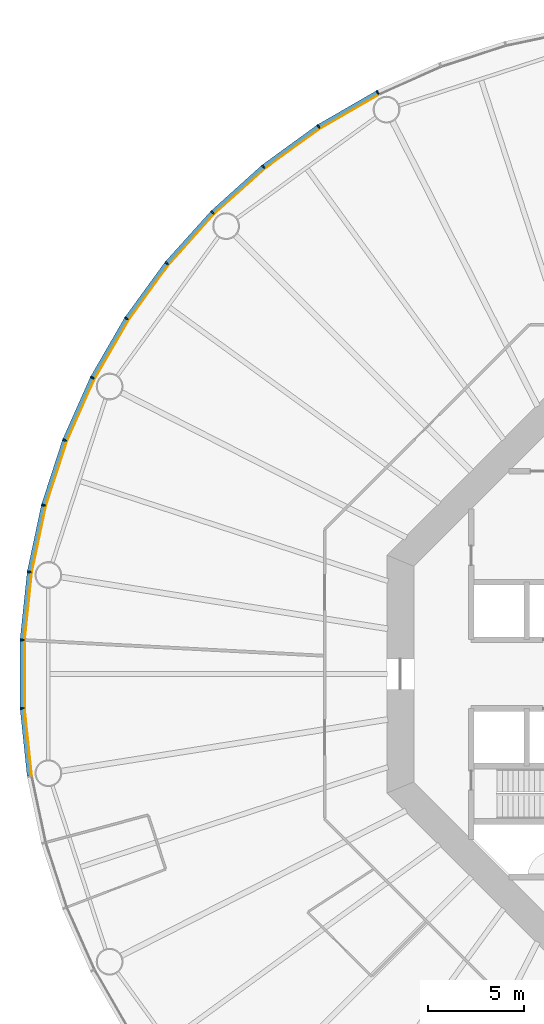
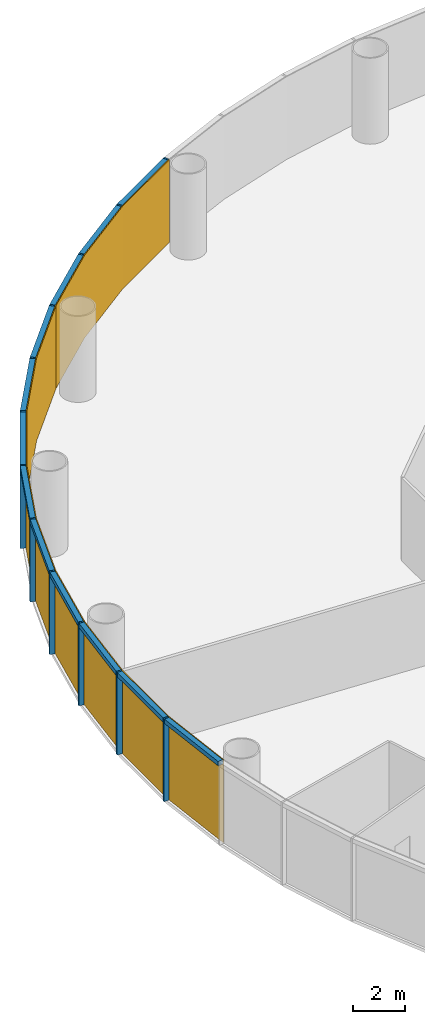
# One storey, part 9 of 13: 24 members, 4 curtain walls.
"""IFC4 building model written with IfcOpenShell, lengths in metres."""

from ifc_helpers import new_model, si_unit, direction, frame, origin, origin_2d, place, context, subcontext, project, spatial, polyline, rectangle, outline, extrude, material, layer, layer_set, material_profile, profile_set, type_object, element, aggregate, save


model = new_model("IFC4")

# Units and contexts
model_context = context("Model", 3, precision=1e-05, world=origin(), true_north=direction((0.0, 1.0)))
body_context = subcontext(model_context, "Body", "Model", "MODEL_VIEW")
ifc_project = project(units=[si_unit("LENGTHUNIT", "METRE"), si_unit("AREAUNIT", "SQUARE_METRE"), si_unit("VOLUMEUNIT", "CUBIC_METRE"), si_unit("PLANEANGLEUNIT", "RADIAN"), si_unit("MASSUNIT", "GRAM", prefix="KILO")], contexts=[model_context])

# Member
ifc_material_1 = material(Name="Anodised aluminium", Category="aluminium")
ifc_material_profile_1 = material_profile(ifc_material_1, rectangle(XDim=0.074951171875, YDim=0.219970703125, at=origin_2d()), Name="Mullion 75 x 220 mm anodised aluminium")
ifc_profile_set_1 = profile_set([ifc_material_profile_1], Name="Anodised aluminium")
member_type_1 = type_object("IfcMemberType", Name="Mullion 75 x 220 mm anodised aluminium", PredefinedType="MULLION", material=ifc_profile_set_1)
site_placement = place(None, origin())
building_placement = place(site_placement, origin())
storey_placement = place(building_placement, frame((0.0, 0.0, 46.0)))
member_1_placement = place(storey_placement, frame((74.514404296875, 110.392333984375, 0.0), z_axis=(0.0, 0.0, 1.0), x_axis=(-0.891006524188, -0.45399049974, 0.0)))
member_1 = element("IfcMember", 1, at=member_1_placement, type_object=member_type_1, Name="MULLION L09-18", PredefinedType="MULLION", context=body_context, shape_type="SweptSolid", body=[
    extrude(rectangle(XDim=0.074951171875, YDim=0.219970703125, at=origin_2d()), origin(), (0.0, 0.0, 1.0), 3.85009765625),
])

member_2_placement = place(storey_placement, frame((71.42236328125, 108.60693359375, 0.0), z_axis=(0.0, 0.0, 1.0), x_axis=(-0.838670567945, -0.544639035015, 0.0)))
member_2 = element("IfcMember", 2, at=member_2_placement, type_object=member_type_1, Name="MULLION L09-19", PredefinedType="MULLION", context=body_context, shape_type="SweptSolid", body=[
    extrude(rectangle(XDim=0.074951171875, YDim=0.219970703125, at=origin_2d()), origin(), (0.0, 0.0, 1.0), 3.85009765625),
])

member_3_placement = place(storey_placement, frame((68.533935546875, 106.508544921875, 0.0), z_axis=(0.0, 0.0, 1.0), x_axis=(-0.777145961457, -0.62932039105, 0.0)))
member_3 = element("IfcMember", 3, at=member_3_placement, type_object=member_type_1, Name="MULLION L09-20", PredefinedType="MULLION", context=body_context, shape_type="SweptSolid", body=[
    extrude(rectangle(XDim=0.074951171875, YDim=0.219970703125, at=origin_2d()), origin(), (0.0, 0.0, 1.0), 3.85009765625),
])

member_4_placement = place(storey_placement, frame((65.880615234375, 104.119384765625, 0.0), z_axis=(0.0, 0.0, 1.0), x_axis=(-0.707106781187, -0.707106781187, 0.0)))
member_4 = element("IfcMember", 4, at=member_4_placement, type_object=member_type_1, Name="MULLION L09-21", PredefinedType="MULLION", context=body_context, shape_type="SweptSolid", body=[
    extrude(rectangle(XDim=0.074951171875, YDim=0.219970703125, at=origin_2d()), origin(), (0.0, 0.0, 1.0), 3.85009765625),
])

member_5_placement = place(storey_placement, frame((63.491455078125, 101.466064453125, 0.0), z_axis=(0.0, 0.0, 1.0), x_axis=(-0.62932039105, -0.777145961457, 0.0)))
member_5 = element("IfcMember", 5, at=member_5_placement, type_object=member_type_1, Name="MULLION L09-22", PredefinedType="MULLION", context=body_context, shape_type="SweptSolid", body=[
    extrude(rectangle(XDim=0.074951171875, YDim=0.219970703125, at=origin_2d()), origin(), (0.0, 0.0, 1.0), 3.85009765625),
])

member_6_placement = place(storey_placement, frame((61.39306640625, 98.57763671875, 0.0), z_axis=(0.0, 0.0, 1.0), x_axis=(-0.544639035015, -0.838670567945, 0.0)))
member_6 = element("IfcMember", 6, at=member_6_placement, type_object=member_type_1, Name="MULLION L09-23", PredefinedType="MULLION", context=body_context, shape_type="SweptSolid", body=[
    extrude(rectangle(XDim=0.074951171875, YDim=0.219970703125, at=origin_2d()), origin(), (0.0, 0.0, 1.0), 3.85009765625),
])

member_7_placement = place(storey_placement, frame((59.607666015625, 95.485595703125, 0.0), z_axis=(0.0, 0.0, 1.0), x_axis=(-0.45399049974, -0.891006524188, 0.0)))
member_7 = element("IfcMember", 7, at=member_7_placement, type_object=member_type_1, Name="MULLION L09-24", PredefinedType="MULLION", context=body_context, shape_type="SweptSolid", body=[
    extrude(rectangle(XDim=0.074951171875, YDim=0.219970703125, at=origin_2d()), origin(), (0.0, 0.0, 1.0), 3.85009765625),
])

member_8_placement = place(storey_placement, frame((58.155517578125, 92.223876953125, 0.0), z_axis=(0.0, 0.0, 1.0), x_axis=(-0.358367949545, -0.933580426497, 0.0)))
member_8 = element("IfcMember", 8, at=member_8_placement, type_object=member_type_1, Name="MULLION L09-25", PredefinedType="MULLION", context=body_context, shape_type="SweptSolid", body=[
    extrude(rectangle(XDim=0.074951171875, YDim=0.219970703125, at=origin_2d()), origin(), (0.0, 0.0, 1.0), 3.85009765625),
])

member_9_placement = place(storey_placement, frame((57.05224609375, 88.828369140625, 0.0), z_axis=(0.0, 0.0, 1.0), x_axis=(-0.258819045103, -0.965925826289, 0.0)))
member_9 = element("IfcMember", 9, at=member_9_placement, type_object=member_type_1, Name="MULLION L09-26", PredefinedType="MULLION", context=body_context, shape_type="SweptSolid", body=[
    extrude(rectangle(XDim=0.074951171875, YDim=0.219970703125, at=origin_2d()), origin(), (0.0, 0.0, 1.0), 3.85009765625),
])

member_10_placement = place(storey_placement, frame((56.31005859375, 85.3359375, 0.0), z_axis=(0.0, 0.0, 1.0), x_axis=(-0.15643446504, -0.987688340595, 0.0)))
member_10 = element("IfcMember", 10, at=member_10_placement, type_object=member_type_1, Name="MULLION L09-27", PredefinedType="MULLION", context=body_context, shape_type="SweptSolid", body=[
    extrude(rectangle(XDim=0.074951171875, YDim=0.219970703125, at=origin_2d()), origin(), (0.0, 0.0, 1.0), 3.85009765625),
])

member_11_placement = place(storey_placement, frame((55.936767578125, 81.78515625, 0.0), z_axis=(0.0, 0.0, 1.0), x_axis=(-0.052335956243, -0.998629534755, 0.0)))
member_11 = element("IfcMember", 11, at=member_11_placement, type_object=member_type_1, Name="MULLION L09-28", PredefinedType="MULLION", context=body_context, shape_type="SweptSolid", body=[
    extrude(rectangle(XDim=0.074951171875, YDim=0.219970703125, at=origin_2d()), origin(), (0.0, 0.0, 1.0), 3.85009765625),
])

member_12_placement = place(storey_placement, frame((55.936767578125, 78.21484375, 0.0), z_axis=(0.0, 0.0, 1.0), x_axis=(0.052335956243, -0.998629534755, 0.0)))
member_12 = element("IfcMember", 12, at=member_12_placement, type_object=member_type_1, Name="MULLION L09-29", PredefinedType="MULLION", context=body_context, shape_type="SweptSolid", body=[
    extrude(rectangle(XDim=0.074951171875, YDim=0.219970703125, at=origin_2d()), origin(), (0.0, 0.0, 1.0), 3.85009765625),
])

ifc_material_2 = material(Name="Anodised aluminium", Category="aluminium")
ifc_material_profile_2 = material_profile(ifc_material_2, rectangle(XDim=0.219970703125, YDim=0.199951171875, at=origin_2d()), Name="Transom 200 x 220 mm anodised aluminium")
ifc_profile_set_2 = profile_set([ifc_material_profile_2], Name="Anodised aluminium")
member_type_2 = type_object("IfcMemberType", Name="Transom 200 x 220 mm anodised aluminium", PredefinedType="USERDEFINED", material=ifc_profile_set_2)
member_13_placement = place(storey_placement, frame((74.476806640625, 110.370849609375, 3.75), z_axis=(-0.866022206254, -0.500005538244, 0.0), x_axis=(0.500005538244, -0.866022206254, 0.0)))
member_13 = element("IfcMember", 13, at=member_13_placement, type_object=member_type_2, Name="TRANSOM L09-18", ObjectType="TRANSOM", PredefinedType="USERDEFINED", context=body_context, shape_type="SweptSolid", body=[
    extrude(rectangle(XDim=0.219970703125, YDim=0.199951171875, at=origin_2d()), origin(), (0.0, 0.0, 1.0), 3.48388671875),
])

member_14_placement = place(storey_placement, frame((71.38720703125, 108.581787109375, 3.75), z_axis=(-0.80899056535, -0.587821627006, 0.0), x_axis=(0.587821627006, -0.80899056535, 0.0)))
member_14 = element("IfcMember", 14, at=member_14_placement, type_object=member_type_2, Name="TRANSOM L09-19", ObjectType="TRANSOM", PredefinedType="USERDEFINED", context=body_context, shape_type="SweptSolid", body=[
    extrude(rectangle(XDim=0.219970703125, YDim=0.199951171875, at=origin_2d()), origin(), (0.0, 0.0, 1.0), 3.48388671875),
])

member_15_placement = place(storey_placement, frame((68.501708984375, 106.479736328125, 3.75), z_axis=(-0.743137329876, -0.669138930974, 0.0), x_axis=(0.669138930974, -0.743137329876, 0.0)))
member_15 = element("IfcMember", 15, at=member_15_placement, type_object=member_type_2, Name="TRANSOM L09-20", ObjectType="TRANSOM", PredefinedType="USERDEFINED", context=body_context, shape_type="SweptSolid", body=[
    extrude(rectangle(XDim=0.219970703125, YDim=0.199951171875, at=origin_2d()), origin(), (0.0, 0.0, 1.0), 3.484130859375),
])

member_16_placement = place(storey_placement, frame((65.8515625, 104.08740234375, 3.75), z_axis=(-0.669138930974, -0.743137329876, 0.0), x_axis=(0.743137329876, -0.669138930974, 0.0)))
member_16 = element("IfcMember", 16, at=member_16_placement, type_object=member_type_2, Name="TRANSOM L09-21", ObjectType="TRANSOM", PredefinedType="USERDEFINED", context=body_context, shape_type="SweptSolid", body=[
    extrude(rectangle(XDim=0.219970703125, YDim=0.199951171875, at=origin_2d()), origin(), (0.0, 0.0, 1.0), 3.484130859375),
])

member_17_placement = place(storey_placement, frame((63.466064453125, 101.43115234375, 3.75), z_axis=(-0.587821627006, -0.80899056535, 0.0), x_axis=(0.80899056535, -0.587821627006, 0.0)))
member_17 = element("IfcMember", 17, at=member_17_placement, type_object=member_type_2, Name="TRANSOM L09-22", ObjectType="TRANSOM", PredefinedType="USERDEFINED", context=body_context, shape_type="SweptSolid", body=[
    extrude(rectangle(XDim=0.219970703125, YDim=0.199951171875, at=origin_2d()), origin(), (0.0, 0.0, 1.0), 3.48388671875),
])

member_18_placement = place(storey_placement, frame((61.37109375, 98.540283203125, 3.75), z_axis=(-0.500005538244, -0.866022206254, 0.0), x_axis=(0.866022206254, -0.500005538244, 0.0)))
member_18 = element("IfcMember", 18, at=member_18_placement, type_object=member_type_2, Name="TRANSOM L09-23", ObjectType="TRANSOM", PredefinedType="USERDEFINED", context=body_context, shape_type="SweptSolid", body=[
    extrude(rectangle(XDim=0.219970703125, YDim=0.199951171875, at=origin_2d()), origin(), (0.0, 0.0, 1.0), 3.48388671875),
])

member_19_placement = place(storey_placement, frame((59.590087890625, 95.446044921875, 3.75), z_axis=(-0.406736576304, -0.913545487371, 0.0), x_axis=(0.913545487371, -0.406736576304, 0.0)))
member_19 = element("IfcMember", 19, at=member_19_placement, type_object=member_type_2, Name="TRANSOM L09-24", ObjectType="TRANSOM", PredefinedType="USERDEFINED", context=body_context, shape_type="SweptSolid", body=[
    extrude(rectangle(XDim=0.219970703125, YDim=0.199951171875, at=origin_2d()), origin(), (0.0, 0.0, 1.0), 3.48388671875),
])

member_20_placement = place(storey_placement, frame((58.14208984375, 92.182861328125, 3.75), z_axis=(-0.309029029702, -0.951052605696, 0.0), x_axis=(0.951052605696, -0.309029029702, 0.0)))
member_20 = element("IfcMember", 20, at=member_20_placement, type_object=member_type_2, Name="TRANSOM L09-25", ObjectType="TRANSOM", PredefinedType="USERDEFINED", context=body_context, shape_type="SweptSolid", body=[
    extrude(rectangle(XDim=0.219970703125, YDim=0.199951171875, at=origin_2d()), origin(), (0.0, 0.0, 1.0), 3.484130859375),
])

member_21_placement = place(storey_placement, frame((57.043212890625, 88.7861328125, 3.75), z_axis=(-0.207920776701, -0.978145669426, 0.0), x_axis=(0.978145669426, -0.207920776701, 0.0)))
member_21 = element("IfcMember", 21, at=member_21_placement, type_object=member_type_2, Name="TRANSOM L09-26", ObjectType="TRANSOM", PredefinedType="USERDEFINED", context=body_context, shape_type="SweptSolid", body=[
    extrude(rectangle(XDim=0.219970703125, YDim=0.199951171875, at=origin_2d()), origin(), (0.0, 0.0, 1.0), 3.48388671875),
])

member_22_placement = place(storey_placement, frame((56.30517578125, 85.29296875, 3.75), z_axis=(-0.104484152234, -0.994526551648, 0.0), x_axis=(0.994526551648, -0.104484152234, 0.0)))
member_22 = element("IfcMember", 22, at=member_22_placement, type_object=member_type_2, Name="TRANSOM L09-27", ObjectType="TRANSOM", PredefinedType="USERDEFINED", context=body_context, shape_type="SweptSolid", body=[
    extrude(rectangle(XDim=0.219970703125, YDim=0.199951171875, at=origin_2d()), origin(), (0.0, 0.0, 1.0), 3.48388671875),
])

member_23_placement = place(storey_placement, frame((55.9365234375, 81.741943359375, 3.75), z_axis=(0.0, -1.0, 0.0), x_axis=(1.0, 0.0, 0.0)))
member_23 = element("IfcMember", 23, at=member_23_placement, type_object=member_type_2, Name="TRANSOM L09-28", ObjectType="TRANSOM", PredefinedType="USERDEFINED", context=body_context, shape_type="SweptSolid", body=[
    extrude(rectangle(XDim=0.219970703125, YDim=0.199951171875, at=origin_2d()), origin(), (0.0, 0.0, 1.0), 3.48388671875),
])

member_24_placement = place(storey_placement, frame((55.941162109375, 78.171875, 3.75), z_axis=(0.104484152234, -0.994526551648, 0.0), x_axis=(0.994526551648, 0.104484152234, 0.0)))
member_24 = element("IfcMember", 24, at=member_24_placement, type_object=member_type_2, Name="TRANSOM L09-29", ObjectType="TRANSOM", PredefinedType="USERDEFINED", context=body_context, shape_type="SweptSolid", body=[
    extrude(rectangle(XDim=0.219970703125, YDim=0.199951171875, at=origin_2d()), origin(), (0.0, 0.0, 1.0), 3.48388671875),
])

# Site, building, storey
site = spatial("IfcSite", under=ifc_project, at=site_placement, CompositionType="ELEMENT")
building = spatial("IfcBuilding", under=site, at=building_placement, Name="Entoto Ring Tower", CompositionType="ELEMENT")
storey = spatial("IfcBuildingStorey", under=building, at=storey_placement, Name="L09", CompositionType="ELEMENT", Elevation=46.0)

# Curtain wall
ifc_material_3 = material(Name="Clear low-iron glass", Category="glass")
ifc_layer = layer(ifc_material_3, 0.0400390625)
ifc_layer_set = layer_set([ifc_layer], Name="Clear low-iron glass")
curtain_wall_type = type_object("IfcCurtainWallType", Name="Curtain wall system CW1 glazing 40 mm", PredefinedType="NOTDEFINED", material=ifc_layer_set)
curtain_wall_1_placement = place(storey_placement, origin())
curtain_wall_1 = element("IfcCurtainWall", 25, at=curtain_wall_1_placement, inside=storey, type_object=curtain_wall_type, Name="CW1 L09-07", PredefinedType="NOTDEFINED", context=body_context, shape_type="SweptSolid", body=[
    extrude(outline(polyline([(74.564208984375, 110.294189453125), (71.482177734375, 108.514892578125), (68.60302734375, 106.4228515625), (65.958251953125, 104.041748046875), (65.986572265625, 104.013427734375), (68.62841796875, 106.391845703125), (71.504150390625, 108.481201171875), (74.58251953125, 110.258544921875), (74.564208984375, 110.294189453125)])), origin(), (0.0, 0.0, 1.0), 3.85009765625),
])

aggregate(curtain_wall_1, [member_1, member_2, member_3, member_13, member_14, member_15])

curtain_wall_2_placement = place(storey_placement, origin())
curtain_wall_2 = element("IfcCurtainWall", 26, at=curtain_wall_2_placement, inside=storey, type_object=curtain_wall_type, Name="CW1 L09-08", PredefinedType="NOTDEFINED", context=body_context, shape_type="SweptSolid", body=[
    extrude(outline(polyline([(65.958251953125, 104.041748046875), (63.5771484375, 101.39697265625), (61.485107421875, 98.517822265625), (59.705810546875, 95.435791015625), (59.741455078125, 95.41748046875), (61.518798828125, 98.495849609375), (63.608154296875, 101.37158203125), (65.986572265625, 104.013427734375), (65.958251953125, 104.041748046875)])), origin(), (0.0, 0.0, 1.0), 3.85009765625),
])

aggregate(curtain_wall_2, [member_4, member_5, member_6, member_16, member_17, member_18])

curtain_wall_3_placement = place(storey_placement, origin())
curtain_wall_3 = element("IfcCurtainWall", 27, at=curtain_wall_3_placement, inside=storey, type_object=curtain_wall_type, Name="CW1 L09-09", PredefinedType="NOTDEFINED", context=body_context, shape_type="SweptSolid", body=[
    extrude(outline(polyline([(59.705810546875, 95.435791015625), (58.25830078125, 92.1845703125), (57.158447265625, 88.7998046875), (56.418701171875, 85.31884765625), (56.458251953125, 85.3125), (57.197265625, 88.78955078125), (58.295654296875, 92.170166015625), (59.741455078125, 95.41748046875), (59.705810546875, 95.435791015625)])), origin(), (0.0, 0.0, 1.0), 3.85009765625),
])

aggregate(curtain_wall_3, [member_7, member_8, member_9, member_19, member_20, member_21])

curtain_wall_4_placement = place(storey_placement, origin())
curtain_wall_4 = element("IfcCurtainWall", 28, at=curtain_wall_4_placement, inside=storey, type_object=curtain_wall_type, Name="CW1 L09-10", PredefinedType="NOTDEFINED", context=body_context, shape_type="SweptSolid", body=[
    extrude(outline(polyline([(56.418701171875, 85.31884765625), (56.046630859375, 81.779541015625), (56.046630859375, 78.220458984375), (56.418701171875, 74.68115234375), (56.458251953125, 74.6875), (56.086669921875, 78.22265625), (56.086669921875, 81.77734375), (56.458251953125, 85.3125), (56.418701171875, 85.31884765625)])), origin(), (0.0, 0.0, 1.0), 3.85009765625),
])

aggregate(curtain_wall_4, [member_10, member_11, member_12, member_22, member_23, member_24])

save(model, "model.ifc")
